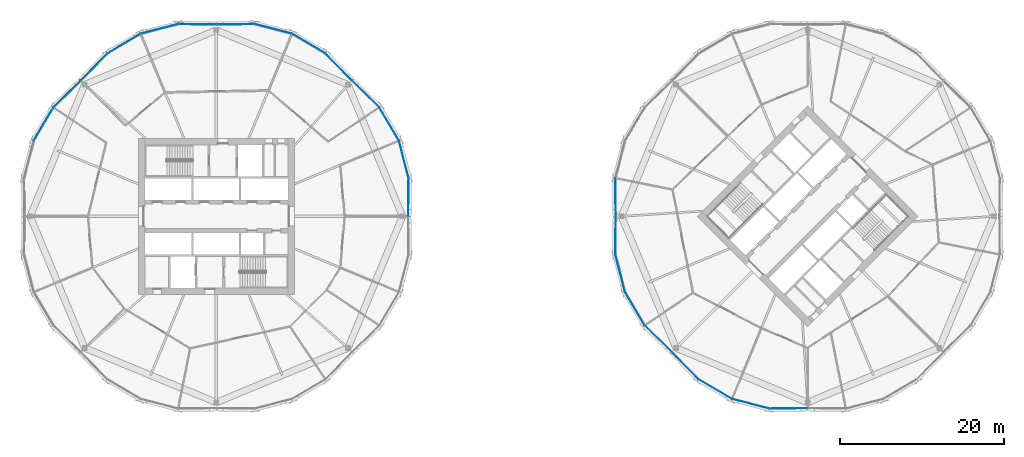
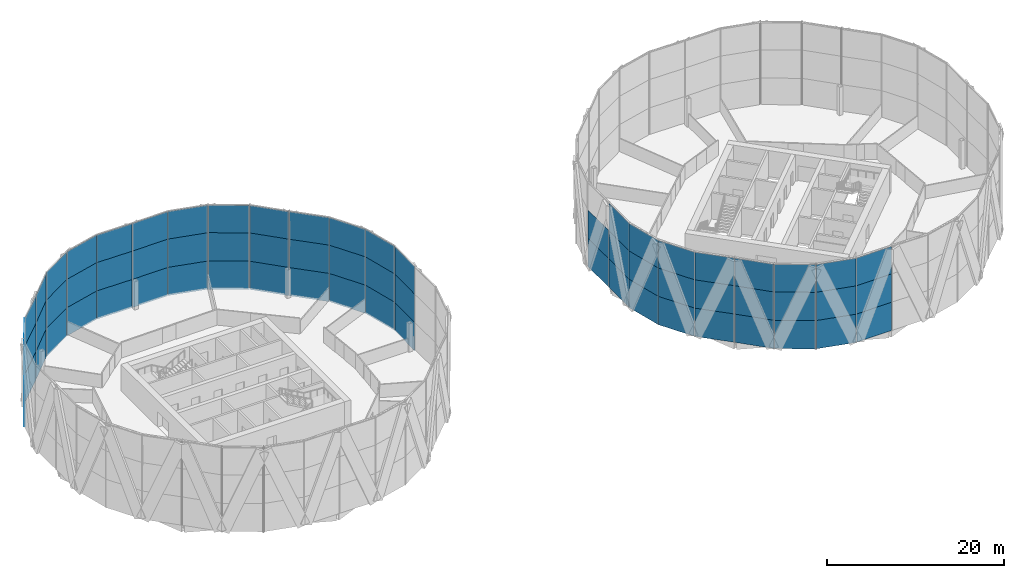
# One storey, part 17 of 26: 68 plates, 7 elements without a shape of their own.
"""IFC4 building model written with IfcOpenShell, lengths in metres."""

from ifc_helpers import new_model, si_unit, direction, frame, origin, origin_2d, place, context, subcontext, project, spatial, rectangle, extrude, material, layer, layer_set, type_object, element, aggregate, save


model = new_model("IFC4")

# Units and contexts
model_context = context("Model", 3, precision=1e-05, world=origin(), true_north=direction((0.0, 1.0)))
body_context = subcontext(model_context, "Body", "Model", "MODEL_VIEW")
ifc_project = project(units=[si_unit("LENGTHUNIT", "METRE"), si_unit("AREAUNIT", "SQUARE_METRE"), si_unit("VOLUMEUNIT", "CUBIC_METRE"), si_unit("PLANEANGLEUNIT", "RADIAN"), si_unit("MASSUNIT", "GRAM", prefix="KILO")], contexts=[model_context])

# Site, building, storey
site_placement = place(None, origin())
site = spatial("IfcSite", under=ifc_project, at=site_placement, CompositionType="ELEMENT")
building_placement = place(site_placement, origin())
building = spatial("IfcBuilding", under=site, at=building_placement, Name="Ogive Gate Towers", CompositionType="ELEMENT")
storey_placement = place(building_placement, frame((0.0, 0.0, 87.89990234375)))
storey = spatial("IfcBuildingStorey", under=building, at=storey_placement, Name="L20", CompositionType="ELEMENT", Elevation=87.89990234375)

# Curtain wall, plates
ifc_material_1 = material(Name="Pale metal aluminium", Category="aluminium")
curtain_wall_type = type_object("IfcCurtainWallType", Name="Tower unitised wall, low zone", PredefinedType="NOTDEFINED", material=ifc_material_1)
curtain_wall_1_placement = place(storey_placement, origin())
curtain_wall_1 = element("IfcCurtainWall", 1, at=curtain_wall_1_placement, inside=storey, type_object=curtain_wall_type, Name="CW1 T1 ECW01", PredefinedType="NOTDEFINED")
ifc_material_2 = material(Name="Clear glass", Category="glass")
ifc_layer = layer(ifc_material_2, 0.028076171875)
ifc_layer_set = layer_set([ifc_layer], Name="Tower unitised wall, low zone glass panel")
plate_type = type_object("IfcPlateType", Name="Tower unitised wall, low zone glass panel", PredefinedType="CURTAIN_PANEL", material=ifc_layer_set)
plate_1_placement = place(storey_placement, frame((-12.6083984375, 2.32275390625, -0.2998046875), z_axis=(0.0, 0.0, 1.0), x_axis=(0.009337375811, 0.999956405756, 0.0)))
plate_1 = element("IfcPlate", 2, at=plate_1_placement, type_object=plate_type, Name="CW1 glass panel", PredefinedType="CURTAIN_PANEL", context=body_context, shape_type="SweptSolid", body=[
    extrude(rectangle(XDim=4.591796875, YDim=0.028076171875, at=origin_2d()), origin(), (0.0, 0.0, 1.0), 3.89990234375),
])
plate_2_placement = place(storey_placement, frame((-12.6083984375, 2.32275390625, 3.60009765625), z_axis=(0.0, 0.0, 1.0), x_axis=(0.009337375811, 0.999956405756, 0.0)))
plate_2 = element("IfcPlate", 3, at=plate_2_placement, type_object=plate_type, Name="CW1 glass panel", PredefinedType="CURTAIN_PANEL", context=body_context, shape_type="SweptSolid", body=[
    extrude(rectangle(XDim=4.591796875, YDim=0.028076171875, at=origin_2d()), origin(), (0.0, 0.0, 1.0), 3.89990234375),
])
plate_3_placement = place(storey_placement, frame((-12.6083984375, 2.32275390625, 7.5), z_axis=(0.0, 0.0, 1.0), x_axis=(0.009337375811, 0.999956405756, 0.0)))
plate_3 = element("IfcPlate", 4, at=plate_3_placement, type_object=plate_type, Name="CW1 glass panel", PredefinedType="CURTAIN_PANEL", context=body_context, shape_type="SweptSolid", body=[
    extrude(rectangle(XDim=4.591796875, YDim=0.028076171875, at=origin_2d()), origin(), (0.0, 0.0, 1.0), 3.803955078125),
])
plate_4_placement = place(storey_placement, frame((-13.173828125, 6.930419921875, -0.2998046875), z_axis=(0.0, 0.0, 1.0), x_axis=(-0.249349123146, 0.968413658922, 0.0)))
plate_4 = element("IfcPlate", 5, at=plate_4_placement, type_object=plate_type, Name="CW1 glass panel", PredefinedType="CURTAIN_PANEL", context=body_context, shape_type="SweptSolid", body=[
    extrude(rectangle(XDim=4.649169921875, YDim=0.028076171875, at=origin_2d()), origin(), (0.0, 0.0, 1.0), 3.89990234375),
])
plate_5_placement = place(storey_placement, frame((-13.173828125, 6.930419921875, 3.60009765625), z_axis=(0.0, 0.0, 1.0), x_axis=(-0.249349123146, 0.968413658922, 0.0)))
plate_5 = element("IfcPlate", 6, at=plate_5_placement, type_object=plate_type, Name="CW1 glass panel", PredefinedType="CURTAIN_PANEL", context=body_context, shape_type="SweptSolid", body=[
    extrude(rectangle(XDim=4.649169921875, YDim=0.028076171875, at=origin_2d()), origin(), (0.0, 0.0, 1.0), 3.89990234375),
])
plate_6_placement = place(storey_placement, frame((-13.173828125, 6.930419921875, 7.5), z_axis=(0.0, 0.0, 1.0), x_axis=(-0.249349123146, 0.968413658922, 0.0)))
plate_6 = element("IfcPlate", 7, at=plate_6_placement, type_object=plate_type, Name="CW1 glass panel", PredefinedType="CURTAIN_PANEL", context=body_context, shape_type="SweptSolid", body=[
    extrude(rectangle(XDim=4.649169921875, YDim=0.028076171875, at=origin_2d()), origin(), (0.0, 0.0, 1.0), 3.803955078125),
])
plate_7_placement = place(storey_placement, frame((-14.958984375, 11.239990234375, -0.2998046875), z_axis=(0.0, 0.0, 1.0), x_axis=(-0.508440380454, 0.861097195167, 0.0)))
plate_7 = element("IfcPlate", 8, at=plate_7_placement, type_object=plate_type, Name="CW1 glass panel", PredefinedType="CURTAIN_PANEL", context=body_context, shape_type="SweptSolid", body=[
    extrude(rectangle(XDim=4.64892578125, YDim=0.028076171875, at=origin_2d()), origin(), (0.0, 0.0, 1.0), 3.89990234375),
])
plate_8_placement = place(storey_placement, frame((-14.958984375, 11.239990234375, 3.60009765625), z_axis=(0.0, 0.0, 1.0), x_axis=(-0.508440380454, 0.861097195167, 0.0)))
plate_8 = element("IfcPlate", 9, at=plate_8_placement, type_object=plate_type, Name="CW1 glass panel", PredefinedType="CURTAIN_PANEL", context=body_context, shape_type="SweptSolid", body=[
    extrude(rectangle(XDim=4.64892578125, YDim=0.028076171875, at=origin_2d()), origin(), (0.0, 0.0, 1.0), 3.89990234375),
])
plate_9_placement = place(storey_placement, frame((-14.958984375, 11.239990234375, 7.5), z_axis=(0.0, 0.0, 1.0), x_axis=(-0.508440380454, 0.861097195167, 0.0)))
plate_9 = element("IfcPlate", 10, at=plate_9_placement, type_object=plate_type, Name="CW1 glass panel", PredefinedType="CURTAIN_PANEL", context=body_context, shape_type="SweptSolid", body=[
    extrude(rectangle(XDim=4.64892578125, YDim=0.028076171875, at=origin_2d()), origin(), (0.0, 0.0, 1.0), 3.803955078125),
])
plate_10_placement = place(storey_placement, frame((-17.817138671875, 14.89794921875, -0.2998046875), z_axis=(0.0, 0.0, 1.0), x_axis=(-0.713678477155, 0.700473433647, 0.0)))
plate_10 = element("IfcPlate", 11, at=plate_10_placement, type_object=plate_type, Name="CW1 glass panel", PredefinedType="CURTAIN_PANEL", context=body_context, shape_type="SweptSolid", body=[
    extrude(rectangle(XDim=4.591796875, YDim=0.028076171875, at=origin_2d()), origin(), (0.0, 0.0, 1.0), 3.89990234375),
])
plate_11_placement = place(storey_placement, frame((-17.817138671875, 14.89794921875, 3.60009765625), z_axis=(0.0, 0.0, 1.0), x_axis=(-0.713678477155, 0.700473433647, 0.0)))
plate_11 = element("IfcPlate", 12, at=plate_11_placement, type_object=plate_type, Name="CW1 glass panel", PredefinedType="CURTAIN_PANEL", context=body_context, shape_type="SweptSolid", body=[
    extrude(rectangle(XDim=4.591796875, YDim=0.028076171875, at=origin_2d()), origin(), (0.0, 0.0, 1.0), 3.89990234375),
])
plate_12_placement = place(storey_placement, frame((-17.817138671875, 14.89794921875, 7.5), z_axis=(0.0, 0.0, 1.0), x_axis=(-0.713678477155, 0.700473433647, 0.0)))
plate_12 = element("IfcPlate", 13, at=plate_12_placement, type_object=plate_type, Name="CW1 glass panel", PredefinedType="CURTAIN_PANEL", context=body_context, shape_type="SweptSolid", body=[
    extrude(rectangle(XDim=4.591796875, YDim=0.028076171875, at=origin_2d()), origin(), (0.0, 0.0, 1.0), 3.803955078125),
])
aggregate(curtain_wall_1, [plate_1, plate_2, plate_3, plate_4, plate_5, plate_6, plate_7, plate_8, plate_9, plate_10, plate_11, plate_12])

curtain_wall_2_placement = place(storey_placement, origin())
curtain_wall_2 = element("IfcCurtainWall", 14, at=curtain_wall_2_placement, inside=storey, type_object=curtain_wall_type, Name="CW1 T1 ECW02", PredefinedType="NOTDEFINED")
plate_13_placement = place(storey_placement, frame((-21.10205078125, 18.182861328125, -0.2998046875), z_axis=(0.0, 0.0, 1.0), x_axis=(-0.700473433647, 0.713678477155, 0.0)))
plate_13 = element("IfcPlate", 15, at=plate_13_placement, type_object=plate_type, Name="CW1 glass panel", PredefinedType="CURTAIN_PANEL", context=body_context, shape_type="SweptSolid", body=[
    extrude(rectangle(XDim=4.591796875, YDim=0.028076171875, at=origin_2d()), origin(), (0.0, 0.0, 1.0), 3.89990234375),
])
plate_14_placement = place(storey_placement, frame((-21.10205078125, 18.182861328125, 3.60009765625), z_axis=(0.0, 0.0, 1.0), x_axis=(-0.700473433647, 0.713678477155, 0.0)))
plate_14 = element("IfcPlate", 16, at=plate_14_placement, type_object=plate_type, Name="CW1 glass panel", PredefinedType="CURTAIN_PANEL", context=body_context, shape_type="SweptSolid", body=[
    extrude(rectangle(XDim=4.591796875, YDim=0.028076171875, at=origin_2d()), origin(), (0.0, 0.0, 1.0), 3.89990234375),
])
plate_15_placement = place(storey_placement, frame((-21.10205078125, 18.182861328125, 7.5), z_axis=(0.0, 0.0, 1.0), x_axis=(-0.700473433647, 0.713678477155, 0.0)))
plate_15 = element("IfcPlate", 17, at=plate_15_placement, type_object=plate_type, Name="CW1 glass panel", PredefinedType="CURTAIN_PANEL", context=body_context, shape_type="SweptSolid", body=[
    extrude(rectangle(XDim=4.591796875, YDim=0.028076171875, at=origin_2d()), origin(), (0.0, 0.0, 1.0), 3.803955078125),
])
plate_16_placement = place(storey_placement, frame((-24.760009765625, 21.041015625, -0.2998046875), z_axis=(0.0, 0.0, 1.0), x_axis=(-0.861097195167, 0.508440380454, 0.0)))
plate_16 = element("IfcPlate", 18, at=plate_16_placement, type_object=plate_type, Name="CW1 glass panel", PredefinedType="CURTAIN_PANEL", context=body_context, shape_type="SweptSolid", body=[
    extrude(rectangle(XDim=4.64892578125, YDim=0.028076171875, at=origin_2d()), origin(), (0.0, 0.0, 1.0), 3.89990234375),
])
plate_17_placement = place(storey_placement, frame((-24.760009765625, 21.041015625, 3.60009765625), z_axis=(0.0, 0.0, 1.0), x_axis=(-0.861097195167, 0.508440380454, 0.0)))
plate_17 = element("IfcPlate", 19, at=plate_17_placement, type_object=plate_type, Name="CW1 glass panel", PredefinedType="CURTAIN_PANEL", context=body_context, shape_type="SweptSolid", body=[
    extrude(rectangle(XDim=4.64892578125, YDim=0.028076171875, at=origin_2d()), origin(), (0.0, 0.0, 1.0), 3.89990234375),
])
plate_18_placement = place(storey_placement, frame((-24.760009765625, 21.041015625, 7.5), z_axis=(0.0, 0.0, 1.0), x_axis=(-0.861097195167, 0.508440380454, 0.0)))
plate_18 = element("IfcPlate", 20, at=plate_18_placement, type_object=plate_type, Name="CW1 glass panel", PredefinedType="CURTAIN_PANEL", context=body_context, shape_type="SweptSolid", body=[
    extrude(rectangle(XDim=4.64892578125, YDim=0.028076171875, at=origin_2d()), origin(), (0.0, 0.0, 1.0), 3.803955078125),
])
plate_19_placement = place(storey_placement, frame((-29.069580078125, 22.826171875, -0.2998046875), z_axis=(0.0, 0.0, 1.0), x_axis=(-0.968413658922, 0.249349123146, 0.0)))
plate_19 = element("IfcPlate", 21, at=plate_19_placement, type_object=plate_type, Name="CW1 glass panel", PredefinedType="CURTAIN_PANEL", context=body_context, shape_type="SweptSolid", body=[
    extrude(rectangle(XDim=4.649169921875, YDim=0.028076171875, at=origin_2d()), origin(), (0.0, 0.0, 1.0), 3.89990234375),
])
plate_20_placement = place(storey_placement, frame((-29.069580078125, 22.826171875, 3.60009765625), z_axis=(0.0, 0.0, 1.0), x_axis=(-0.968413658922, 0.249349123146, 0.0)))
plate_20 = element("IfcPlate", 22, at=plate_20_placement, type_object=plate_type, Name="CW1 glass panel", PredefinedType="CURTAIN_PANEL", context=body_context, shape_type="SweptSolid", body=[
    extrude(rectangle(XDim=4.649169921875, YDim=0.028076171875, at=origin_2d()), origin(), (0.0, 0.0, 1.0), 3.89990234375),
])
plate_21_placement = place(storey_placement, frame((-29.069580078125, 22.826171875, 7.5), z_axis=(0.0, 0.0, 1.0), x_axis=(-0.968413658922, 0.249349123146, 0.0)))
plate_21 = element("IfcPlate", 23, at=plate_21_placement, type_object=plate_type, Name="CW1 glass panel", PredefinedType="CURTAIN_PANEL", context=body_context, shape_type="SweptSolid", body=[
    extrude(rectangle(XDim=4.649169921875, YDim=0.028076171875, at=origin_2d()), origin(), (0.0, 0.0, 1.0), 3.803955078125),
])
plate_22_placement = place(storey_placement, frame((-33.67724609375, 23.3916015625, -0.2998046875), z_axis=(0.0, 0.0, 1.0), x_axis=(-0.999956405756, -0.009337375811, 0.0)))
plate_22 = element("IfcPlate", 24, at=plate_22_placement, type_object=plate_type, Name="CW1 glass panel", PredefinedType="CURTAIN_PANEL", context=body_context, shape_type="SweptSolid", body=[
    extrude(rectangle(XDim=4.591796875, YDim=0.028076171875, at=origin_2d()), origin(), (0.0, 0.0, 1.0), 3.89990234375),
])
plate_23_placement = place(storey_placement, frame((-33.67724609375, 23.3916015625, 3.60009765625), z_axis=(0.0, 0.0, 1.0), x_axis=(-0.999956405756, -0.009337375811, 0.0)))
plate_23 = element("IfcPlate", 25, at=plate_23_placement, type_object=plate_type, Name="CW1 glass panel", PredefinedType="CURTAIN_PANEL", context=body_context, shape_type="SweptSolid", body=[
    extrude(rectangle(XDim=4.591796875, YDim=0.028076171875, at=origin_2d()), origin(), (0.0, 0.0, 1.0), 3.89990234375),
])
plate_24_placement = place(storey_placement, frame((-33.67724609375, 23.3916015625, 7.5), z_axis=(0.0, 0.0, 1.0), x_axis=(-0.999956405756, -0.009337375811, 0.0)))
plate_24 = element("IfcPlate", 26, at=plate_24_placement, type_object=plate_type, Name="CW1 glass panel", PredefinedType="CURTAIN_PANEL", context=body_context, shape_type="SweptSolid", body=[
    extrude(rectangle(XDim=4.591796875, YDim=0.028076171875, at=origin_2d()), origin(), (0.0, 0.0, 1.0), 3.803955078125),
])
aggregate(curtain_wall_2, [plate_13, plate_14, plate_15, plate_16, plate_17, plate_18, plate_19, plate_20, plate_21, plate_22, plate_23, plate_24])

curtain_wall_3_placement = place(storey_placement, origin())
curtain_wall_3 = element("IfcCurtainWall", 27, at=curtain_wall_3_placement, inside=storey, type_object=curtain_wall_type, Name="CW1 T1 ECW03", PredefinedType="NOTDEFINED")
plate_25_placement = place(storey_placement, frame((-38.32275390625, 23.3916015625, -0.2998046875), z_axis=(0.0, 0.0, 1.0), x_axis=(-0.999956405756, 0.009337375811, 0.0)))
plate_25 = element("IfcPlate", 28, at=plate_25_placement, type_object=plate_type, Name="CW1 glass panel", PredefinedType="CURTAIN_PANEL", context=body_context, shape_type="SweptSolid", body=[
    extrude(rectangle(XDim=4.591796875, YDim=0.028076171875, at=origin_2d()), origin(), (0.0, 0.0, 1.0), 3.89990234375),
])
plate_26_placement = place(storey_placement, frame((-38.32275390625, 23.3916015625, 3.60009765625), z_axis=(0.0, 0.0, 1.0), x_axis=(-0.999956405756, 0.009337375811, 0.0)))
plate_26 = element("IfcPlate", 29, at=plate_26_placement, type_object=plate_type, Name="CW1 glass panel", PredefinedType="CURTAIN_PANEL", context=body_context, shape_type="SweptSolid", body=[
    extrude(rectangle(XDim=4.591796875, YDim=0.028076171875, at=origin_2d()), origin(), (0.0, 0.0, 1.0), 3.89990234375),
])
plate_27_placement = place(storey_placement, frame((-38.32275390625, 23.3916015625, 7.5), z_axis=(0.0, 0.0, 1.0), x_axis=(-0.999956405756, 0.009337375811, 0.0)))
plate_27 = element("IfcPlate", 30, at=plate_27_placement, type_object=plate_type, Name="CW1 glass panel", PredefinedType="CURTAIN_PANEL", context=body_context, shape_type="SweptSolid", body=[
    extrude(rectangle(XDim=4.591796875, YDim=0.028076171875, at=origin_2d()), origin(), (0.0, 0.0, 1.0), 3.803955078125),
])
plate_28_placement = place(storey_placement, frame((-42.930419921875, 22.826171875, -0.2998046875), z_axis=(0.0, 0.0, 1.0), x_axis=(-0.968413658922, -0.249349123146, 0.0)))
plate_28 = element("IfcPlate", 31, at=plate_28_placement, type_object=plate_type, Name="CW1 glass panel", PredefinedType="CURTAIN_PANEL", context=body_context, shape_type="SweptSolid", body=[
    extrude(rectangle(XDim=4.649169921875, YDim=0.028076171875, at=origin_2d()), origin(), (0.0, 0.0, 1.0), 3.89990234375),
])
plate_29_placement = place(storey_placement, frame((-42.930419921875, 22.826171875, 3.60009765625), z_axis=(0.0, 0.0, 1.0), x_axis=(-0.968413658922, -0.249349123146, 0.0)))
plate_29 = element("IfcPlate", 32, at=plate_29_placement, type_object=plate_type, Name="CW1 glass panel", PredefinedType="CURTAIN_PANEL", context=body_context, shape_type="SweptSolid", body=[
    extrude(rectangle(XDim=4.649169921875, YDim=0.028076171875, at=origin_2d()), origin(), (0.0, 0.0, 1.0), 3.89990234375),
])
plate_30_placement = place(storey_placement, frame((-42.930419921875, 22.826171875, 7.5), z_axis=(0.0, 0.0, 1.0), x_axis=(-0.968413658922, -0.249349123146, 0.0)))
plate_30 = element("IfcPlate", 33, at=plate_30_placement, type_object=plate_type, Name="CW1 glass panel", PredefinedType="CURTAIN_PANEL", context=body_context, shape_type="SweptSolid", body=[
    extrude(rectangle(XDim=4.649169921875, YDim=0.028076171875, at=origin_2d()), origin(), (0.0, 0.0, 1.0), 3.803955078125),
])
plate_31_placement = place(storey_placement, frame((-47.239990234375, 21.041015625, -0.2998046875), z_axis=(0.0, 0.0, 1.0), x_axis=(-0.861097195167, -0.508440380454, 0.0)))
plate_31 = element("IfcPlate", 34, at=plate_31_placement, type_object=plate_type, Name="CW1 glass panel", PredefinedType="CURTAIN_PANEL", context=body_context, shape_type="SweptSolid", body=[
    extrude(rectangle(XDim=4.64892578125, YDim=0.028076171875, at=origin_2d()), origin(), (0.0, 0.0, 1.0), 3.89990234375),
])
plate_32_placement = place(storey_placement, frame((-47.239990234375, 21.041015625, 3.60009765625), z_axis=(0.0, 0.0, 1.0), x_axis=(-0.861097195167, -0.508440380454, 0.0)))
plate_32 = element("IfcPlate", 35, at=plate_32_placement, type_object=plate_type, Name="CW1 glass panel", PredefinedType="CURTAIN_PANEL", context=body_context, shape_type="SweptSolid", body=[
    extrude(rectangle(XDim=4.64892578125, YDim=0.028076171875, at=origin_2d()), origin(), (0.0, 0.0, 1.0), 3.89990234375),
])
plate_33_placement = place(storey_placement, frame((-47.239990234375, 21.041015625, 7.5), z_axis=(0.0, 0.0, 1.0), x_axis=(-0.861097195167, -0.508440380454, 0.0)))
plate_33 = element("IfcPlate", 36, at=plate_33_placement, type_object=plate_type, Name="CW1 glass panel", PredefinedType="CURTAIN_PANEL", context=body_context, shape_type="SweptSolid", body=[
    extrude(rectangle(XDim=4.64892578125, YDim=0.028076171875, at=origin_2d()), origin(), (0.0, 0.0, 1.0), 3.803955078125),
])
plate_34_placement = place(storey_placement, frame((-50.89794921875, 18.182861328125, -0.2998046875), z_axis=(0.0, 0.0, 1.0), x_axis=(-0.700473433647, -0.713678477155, 0.0)))
plate_34 = element("IfcPlate", 37, at=plate_34_placement, type_object=plate_type, Name="CW1 glass panel", PredefinedType="CURTAIN_PANEL", context=body_context, shape_type="SweptSolid", body=[
    extrude(rectangle(XDim=4.591796875, YDim=0.028076171875, at=origin_2d()), origin(), (0.0, 0.0, 1.0), 3.89990234375),
])
plate_35_placement = place(storey_placement, frame((-50.89794921875, 18.182861328125, 3.60009765625), z_axis=(0.0, 0.0, 1.0), x_axis=(-0.700473433647, -0.713678477155, 0.0)))
plate_35 = element("IfcPlate", 38, at=plate_35_placement, type_object=plate_type, Name="CW1 glass panel", PredefinedType="CURTAIN_PANEL", context=body_context, shape_type="SweptSolid", body=[
    extrude(rectangle(XDim=4.591796875, YDim=0.028076171875, at=origin_2d()), origin(), (0.0, 0.0, 1.0), 3.89990234375),
])
plate_36_placement = place(storey_placement, frame((-50.89794921875, 18.182861328125, 7.5), z_axis=(0.0, 0.0, 1.0), x_axis=(-0.700473433647, -0.713678477155, 0.0)))
plate_36 = element("IfcPlate", 39, at=plate_36_placement, type_object=plate_type, Name="CW1 glass panel", PredefinedType="CURTAIN_PANEL", context=body_context, shape_type="SweptSolid", body=[
    extrude(rectangle(XDim=4.591796875, YDim=0.028076171875, at=origin_2d()), origin(), (0.0, 0.0, 1.0), 3.803955078125),
])
aggregate(curtain_wall_3, [plate_25, plate_26, plate_27, plate_28, plate_29, plate_30, plate_31, plate_32, plate_33, plate_34, plate_35, plate_36])

curtain_wall_4_placement = place(storey_placement, origin())
curtain_wall_4 = element("IfcCurtainWall", 40, at=curtain_wall_4_placement, inside=storey, type_object=curtain_wall_type, Name="CW1 T1 ECW04", PredefinedType="NOTDEFINED")
plate_37_placement = place(storey_placement, frame((-54.182861328125, 14.89794921875, -0.2998046875), z_axis=(0.0, 0.0, 1.0), x_axis=(-0.713678477155, -0.700473433647, 0.0)))
plate_37 = element("IfcPlate", 41, at=plate_37_placement, type_object=plate_type, Name="CW1 glass panel", PredefinedType="CURTAIN_PANEL", context=body_context, shape_type="SweptSolid", body=[
    extrude(rectangle(XDim=4.591796875, YDim=0.028076171875, at=origin_2d()), origin(), (0.0, 0.0, 1.0), 3.89990234375),
])
plate_38_placement = place(storey_placement, frame((-54.182861328125, 14.89794921875, 3.60009765625), z_axis=(0.0, 0.0, 1.0), x_axis=(-0.713678477155, -0.700473433647, 0.0)))
plate_38 = element("IfcPlate", 42, at=plate_38_placement, type_object=plate_type, Name="CW1 glass panel", PredefinedType="CURTAIN_PANEL", context=body_context, shape_type="SweptSolid", body=[
    extrude(rectangle(XDim=4.591796875, YDim=0.028076171875, at=origin_2d()), origin(), (0.0, 0.0, 1.0), 3.89990234375),
])
plate_39_placement = place(storey_placement, frame((-54.182861328125, 14.89794921875, 7.5), z_axis=(0.0, 0.0, 1.0), x_axis=(-0.713678477155, -0.700473433647, 0.0)))
plate_39 = element("IfcPlate", 43, at=plate_39_placement, type_object=plate_type, Name="CW1 glass panel", PredefinedType="CURTAIN_PANEL", context=body_context, shape_type="SweptSolid", body=[
    extrude(rectangle(XDim=4.591796875, YDim=0.028076171875, at=origin_2d()), origin(), (0.0, 0.0, 1.0), 3.803955078125),
])
plate_40_placement = place(storey_placement, frame((-57.041015625, 11.239990234375, -0.2998046875), z_axis=(0.0, 0.0, 1.0), x_axis=(-0.508440380454, -0.861097195167, 0.0)))
plate_40 = element("IfcPlate", 44, at=plate_40_placement, type_object=plate_type, Name="CW1 glass panel", PredefinedType="CURTAIN_PANEL", context=body_context, shape_type="SweptSolid", body=[
    extrude(rectangle(XDim=4.64892578125, YDim=0.028076171875, at=origin_2d()), origin(), (0.0, 0.0, 1.0), 3.89990234375),
])
plate_41_placement = place(storey_placement, frame((-57.041015625, 11.239990234375, 3.60009765625), z_axis=(0.0, 0.0, 1.0), x_axis=(-0.508440380454, -0.861097195167, 0.0)))
plate_41 = element("IfcPlate", 45, at=plate_41_placement, type_object=plate_type, Name="CW1 glass panel", PredefinedType="CURTAIN_PANEL", context=body_context, shape_type="SweptSolid", body=[
    extrude(rectangle(XDim=4.64892578125, YDim=0.028076171875, at=origin_2d()), origin(), (0.0, 0.0, 1.0), 3.89990234375),
])
plate_42_placement = place(storey_placement, frame((-57.041015625, 11.239990234375, 7.5), z_axis=(0.0, 0.0, 1.0), x_axis=(-0.508440380454, -0.861097195167, 0.0)))
plate_42 = element("IfcPlate", 46, at=plate_42_placement, type_object=plate_type, Name="CW1 glass panel", PredefinedType="CURTAIN_PANEL", context=body_context, shape_type="SweptSolid", body=[
    extrude(rectangle(XDim=4.64892578125, YDim=0.028076171875, at=origin_2d()), origin(), (0.0, 0.0, 1.0), 3.803955078125),
])
aggregate(curtain_wall_4, [plate_37, plate_38, plate_39, plate_40, plate_41, plate_42])

curtain_wall_5_placement = place(storey_placement, origin())
curtain_wall_5 = element("IfcCurtainWall", 47, at=curtain_wall_5_placement, inside=storey, type_object=curtain_wall_type, Name="CW1 T2 ECW04", PredefinedType="NOTDEFINED")
plate_43_placement = place(storey_placement, frame((12.6083984375, 2.32275390625, -0.2998046875), z_axis=(0.0, 0.0, 1.0), x_axis=(0.009337375811, -0.999956405756, 0.0)))
plate_43 = element("IfcPlate", 48, at=plate_43_placement, type_object=plate_type, Name="CW1 glass panel", PredefinedType="CURTAIN_PANEL", context=body_context, shape_type="SweptSolid", body=[
    extrude(rectangle(XDim=4.591796875, YDim=0.028076171875, at=origin_2d()), origin(), (0.0, 0.0, 1.0), 3.89990234375),
])
plate_44_placement = place(storey_placement, frame((12.6083984375, 2.32275390625, 3.60009765625), z_axis=(0.0, 0.0, 1.0), x_axis=(0.009337375811, -0.999956405756, 0.0)))
plate_44 = element("IfcPlate", 49, at=plate_44_placement, type_object=plate_type, Name="CW1 glass panel", PredefinedType="CURTAIN_PANEL", context=body_context, shape_type="SweptSolid", body=[
    extrude(rectangle(XDim=4.591796875, YDim=0.028076171875, at=origin_2d()), origin(), (0.0, 0.0, 1.0), 3.89990234375),
])
aggregate(curtain_wall_5, [plate_43, plate_44])

curtain_wall_6_placement = place(storey_placement, origin())
curtain_wall_6 = element("IfcCurtainWall", 50, at=curtain_wall_6_placement, inside=storey, type_object=curtain_wall_type, Name="CW1 T2 ECW05", PredefinedType="NOTDEFINED")
plate_45_placement = place(storey_placement, frame((12.6083984375, -2.32275390625, -0.2998046875), z_axis=(0.0, 0.0, 1.0), x_axis=(-0.009337375811, -0.999956405756, 0.0)))
plate_45 = element("IfcPlate", 51, at=plate_45_placement, type_object=plate_type, Name="CW1 glass panel", PredefinedType="CURTAIN_PANEL", context=body_context, shape_type="SweptSolid", body=[
    extrude(rectangle(XDim=4.591796875, YDim=0.028076171875, at=origin_2d()), origin(), (0.0, 0.0, 1.0), 3.89990234375),
])
plate_46_placement = place(storey_placement, frame((12.6083984375, -2.32275390625, 3.60009765625), z_axis=(0.0, 0.0, 1.0), x_axis=(-0.009337375811, -0.999956405756, 0.0)))
plate_46 = element("IfcPlate", 52, at=plate_46_placement, type_object=plate_type, Name="CW1 glass panel", PredefinedType="CURTAIN_PANEL", context=body_context, shape_type="SweptSolid", body=[
    extrude(rectangle(XDim=4.591796875, YDim=0.028076171875, at=origin_2d()), origin(), (0.0, 0.0, 1.0), 3.89990234375),
])
plate_47_placement = place(storey_placement, frame((12.6083984375, -2.32275390625, 7.5), z_axis=(0.0, 0.0, 1.0), x_axis=(-0.009337375811, -0.999956405756, 0.0)))
plate_47 = element("IfcPlate", 53, at=plate_47_placement, type_object=plate_type, Name="CW1 glass panel", PredefinedType="CURTAIN_PANEL", context=body_context, shape_type="SweptSolid", body=[
    extrude(rectangle(XDim=4.591796875, YDim=0.028076171875, at=origin_2d()), origin(), (0.0, 0.0, 1.0), 3.803955078125),
])
plate_48_placement = place(storey_placement, frame((13.173828125, -6.930419921875, -0.2998046875), z_axis=(0.0, 0.0, 1.0), x_axis=(0.249349123146, -0.968413658922, 0.0)))
plate_48 = element("IfcPlate", 54, at=plate_48_placement, type_object=plate_type, Name="CW1 glass panel", PredefinedType="CURTAIN_PANEL", context=body_context, shape_type="SweptSolid", body=[
    extrude(rectangle(XDim=4.649169921875, YDim=0.028076171875, at=origin_2d()), origin(), (0.0, 0.0, 1.0), 3.89990234375),
])
plate_49_placement = place(storey_placement, frame((13.173828125, -6.930419921875, 3.60009765625), z_axis=(0.0, 0.0, 1.0), x_axis=(0.249349123146, -0.968413658922, 0.0)))
plate_49 = element("IfcPlate", 55, at=plate_49_placement, type_object=plate_type, Name="CW1 glass panel", PredefinedType="CURTAIN_PANEL", context=body_context, shape_type="SweptSolid", body=[
    extrude(rectangle(XDim=4.649169921875, YDim=0.028076171875, at=origin_2d()), origin(), (0.0, 0.0, 1.0), 3.89990234375),
])
plate_50_placement = place(storey_placement, frame((13.173828125, -6.930419921875, 7.5), z_axis=(0.0, 0.0, 1.0), x_axis=(0.249349123146, -0.968413658922, 0.0)))
plate_50 = element("IfcPlate", 56, at=plate_50_placement, type_object=plate_type, Name="CW1 glass panel", PredefinedType="CURTAIN_PANEL", context=body_context, shape_type="SweptSolid", body=[
    extrude(rectangle(XDim=4.649169921875, YDim=0.028076171875, at=origin_2d()), origin(), (0.0, 0.0, 1.0), 3.803955078125),
])
plate_51_placement = place(storey_placement, frame((14.958984375, -11.239990234375, -0.2998046875), z_axis=(0.0, 0.0, 1.0), x_axis=(0.508440380454, -0.861097195167, 0.0)))
plate_51 = element("IfcPlate", 57, at=plate_51_placement, type_object=plate_type, Name="CW1 glass panel", PredefinedType="CURTAIN_PANEL", context=body_context, shape_type="SweptSolid", body=[
    extrude(rectangle(XDim=4.64892578125, YDim=0.028076171875, at=origin_2d()), origin(), (0.0, 0.0, 1.0), 3.89990234375),
])
plate_52_placement = place(storey_placement, frame((14.958984375, -11.239990234375, 3.60009765625), z_axis=(0.0, 0.0, 1.0), x_axis=(0.508440380454, -0.861097195167, 0.0)))
plate_52 = element("IfcPlate", 58, at=plate_52_placement, type_object=plate_type, Name="CW1 glass panel", PredefinedType="CURTAIN_PANEL", context=body_context, shape_type="SweptSolid", body=[
    extrude(rectangle(XDim=4.64892578125, YDim=0.028076171875, at=origin_2d()), origin(), (0.0, 0.0, 1.0), 3.89990234375),
])
plate_53_placement = place(storey_placement, frame((14.958984375, -11.239990234375, 7.5), z_axis=(0.0, 0.0, 1.0), x_axis=(0.508440380454, -0.861097195167, 0.0)))
plate_53 = element("IfcPlate", 59, at=plate_53_placement, type_object=plate_type, Name="CW1 glass panel", PredefinedType="CURTAIN_PANEL", context=body_context, shape_type="SweptSolid", body=[
    extrude(rectangle(XDim=4.64892578125, YDim=0.028076171875, at=origin_2d()), origin(), (0.0, 0.0, 1.0), 3.803955078125),
])
plate_54_placement = place(storey_placement, frame((17.817138671875, -14.89794921875, -0.2998046875), z_axis=(0.0, 0.0, 1.0), x_axis=(0.713678477155, -0.700473433647, 0.0)))
plate_54 = element("IfcPlate", 60, at=plate_54_placement, type_object=plate_type, Name="CW1 glass panel", PredefinedType="CURTAIN_PANEL", context=body_context, shape_type="SweptSolid", body=[
    extrude(rectangle(XDim=4.591796875, YDim=0.028076171875, at=origin_2d()), origin(), (0.0, 0.0, 1.0), 3.89990234375),
])
plate_55_placement = place(storey_placement, frame((17.817138671875, -14.89794921875, 3.60009765625), z_axis=(0.0, 0.0, 1.0), x_axis=(0.713678477155, -0.700473433647, 0.0)))
plate_55 = element("IfcPlate", 61, at=plate_55_placement, type_object=plate_type, Name="CW1 glass panel", PredefinedType="CURTAIN_PANEL", context=body_context, shape_type="SweptSolid", body=[
    extrude(rectangle(XDim=4.591796875, YDim=0.028076171875, at=origin_2d()), origin(), (0.0, 0.0, 1.0), 3.89990234375),
])
plate_56_placement = place(storey_placement, frame((17.817138671875, -14.89794921875, 7.5), z_axis=(0.0, 0.0, 1.0), x_axis=(0.713678477155, -0.700473433647, 0.0)))
plate_56 = element("IfcPlate", 62, at=plate_56_placement, type_object=plate_type, Name="CW1 glass panel", PredefinedType="CURTAIN_PANEL", context=body_context, shape_type="SweptSolid", body=[
    extrude(rectangle(XDim=4.591796875, YDim=0.028076171875, at=origin_2d()), origin(), (0.0, 0.0, 1.0), 3.803955078125),
])
aggregate(curtain_wall_6, [plate_45, plate_46, plate_47, plate_48, plate_49, plate_50, plate_51, plate_52, plate_53, plate_54, plate_55, plate_56])

curtain_wall_7_placement = place(storey_placement, origin())
curtain_wall_7 = element("IfcCurtainWall", 63, at=curtain_wall_7_placement, inside=storey, type_object=curtain_wall_type, Name="CW1 T2 ECW06", PredefinedType="NOTDEFINED")
plate_57_placement = place(storey_placement, frame((21.10205078125, -18.182861328125, -0.2998046875), z_axis=(0.0, 0.0, 1.0), x_axis=(0.700473433647, -0.713678477155, 0.0)))
plate_57 = element("IfcPlate", 64, at=plate_57_placement, type_object=plate_type, Name="CW1 glass panel", PredefinedType="CURTAIN_PANEL", context=body_context, shape_type="SweptSolid", body=[
    extrude(rectangle(XDim=4.591796875, YDim=0.028076171875, at=origin_2d()), origin(), (0.0, 0.0, 1.0), 3.89990234375),
])
plate_58_placement = place(storey_placement, frame((21.10205078125, -18.182861328125, 3.60009765625), z_axis=(0.0, 0.0, 1.0), x_axis=(0.700473433647, -0.713678477155, 0.0)))
plate_58 = element("IfcPlate", 65, at=plate_58_placement, type_object=plate_type, Name="CW1 glass panel", PredefinedType="CURTAIN_PANEL", context=body_context, shape_type="SweptSolid", body=[
    extrude(rectangle(XDim=4.591796875, YDim=0.028076171875, at=origin_2d()), origin(), (0.0, 0.0, 1.0), 3.89990234375),
])
plate_59_placement = place(storey_placement, frame((21.10205078125, -18.182861328125, 7.5), z_axis=(0.0, 0.0, 1.0), x_axis=(0.700473433647, -0.713678477155, 0.0)))
plate_59 = element("IfcPlate", 66, at=plate_59_placement, type_object=plate_type, Name="CW1 glass panel", PredefinedType="CURTAIN_PANEL", context=body_context, shape_type="SweptSolid", body=[
    extrude(rectangle(XDim=4.591796875, YDim=0.028076171875, at=origin_2d()), origin(), (0.0, 0.0, 1.0), 3.803955078125),
])
plate_60_placement = place(storey_placement, frame((24.760009765625, -21.041015625, -0.2998046875), z_axis=(0.0, 0.0, 1.0), x_axis=(0.861097195167, -0.508440380454, 0.0)))
plate_60 = element("IfcPlate", 67, at=plate_60_placement, type_object=plate_type, Name="CW1 glass panel", PredefinedType="CURTAIN_PANEL", context=body_context, shape_type="SweptSolid", body=[
    extrude(rectangle(XDim=4.64892578125, YDim=0.028076171875, at=origin_2d()), origin(), (0.0, 0.0, 1.0), 3.89990234375),
])
plate_61_placement = place(storey_placement, frame((24.760009765625, -21.041015625, 3.60009765625), z_axis=(0.0, 0.0, 1.0), x_axis=(0.861097195167, -0.508440380454, 0.0)))
plate_61 = element("IfcPlate", 68, at=plate_61_placement, type_object=plate_type, Name="CW1 glass panel", PredefinedType="CURTAIN_PANEL", context=body_context, shape_type="SweptSolid", body=[
    extrude(rectangle(XDim=4.64892578125, YDim=0.028076171875, at=origin_2d()), origin(), (0.0, 0.0, 1.0), 3.89990234375),
])
plate_62_placement = place(storey_placement, frame((24.760009765625, -21.041015625, 7.5), z_axis=(0.0, 0.0, 1.0), x_axis=(0.861097195167, -0.508440380454, 0.0)))
plate_62 = element("IfcPlate", 69, at=plate_62_placement, type_object=plate_type, Name="CW1 glass panel", PredefinedType="CURTAIN_PANEL", context=body_context, shape_type="SweptSolid", body=[
    extrude(rectangle(XDim=4.64892578125, YDim=0.028076171875, at=origin_2d()), origin(), (0.0, 0.0, 1.0), 3.803955078125),
])
plate_63_placement = place(storey_placement, frame((29.069580078125, -22.826171875, -0.2998046875), z_axis=(0.0, 0.0, 1.0), x_axis=(0.968413658922, -0.249349123146, 0.0)))
plate_63 = element("IfcPlate", 70, at=plate_63_placement, type_object=plate_type, Name="CW1 glass panel", PredefinedType="CURTAIN_PANEL", context=body_context, shape_type="SweptSolid", body=[
    extrude(rectangle(XDim=4.649169921875, YDim=0.028076171875, at=origin_2d()), origin(), (0.0, 0.0, 1.0), 3.89990234375),
])
plate_64_placement = place(storey_placement, frame((29.069580078125, -22.826171875, 3.60009765625), z_axis=(0.0, 0.0, 1.0), x_axis=(0.968413658922, -0.249349123146, 0.0)))
plate_64 = element("IfcPlate", 71, at=plate_64_placement, type_object=plate_type, Name="CW1 glass panel", PredefinedType="CURTAIN_PANEL", context=body_context, shape_type="SweptSolid", body=[
    extrude(rectangle(XDim=4.649169921875, YDim=0.028076171875, at=origin_2d()), origin(), (0.0, 0.0, 1.0), 3.89990234375),
])
plate_65_placement = place(storey_placement, frame((29.069580078125, -22.826171875, 7.5), z_axis=(0.0, 0.0, 1.0), x_axis=(0.968413658922, -0.249349123146, 0.0)))
plate_65 = element("IfcPlate", 72, at=plate_65_placement, type_object=plate_type, Name="CW1 glass panel", PredefinedType="CURTAIN_PANEL", context=body_context, shape_type="SweptSolid", body=[
    extrude(rectangle(XDim=4.649169921875, YDim=0.028076171875, at=origin_2d()), origin(), (0.0, 0.0, 1.0), 3.803955078125),
])
plate_66_placement = place(storey_placement, frame((33.67724609375, -23.3916015625, -0.2998046875), z_axis=(0.0, 0.0, 1.0), x_axis=(0.999956405756, 0.009337375811, 0.0)))
plate_66 = element("IfcPlate", 73, at=plate_66_placement, type_object=plate_type, Name="CW1 glass panel", PredefinedType="CURTAIN_PANEL", context=body_context, shape_type="SweptSolid", body=[
    extrude(rectangle(XDim=4.591796875, YDim=0.028076171875, at=origin_2d()), origin(), (0.0, 0.0, 1.0), 3.89990234375),
])
plate_67_placement = place(storey_placement, frame((33.67724609375, -23.3916015625, 3.60009765625), z_axis=(0.0, 0.0, 1.0), x_axis=(0.999956405756, 0.009337375811, 0.0)))
plate_67 = element("IfcPlate", 74, at=plate_67_placement, type_object=plate_type, Name="CW1 glass panel", PredefinedType="CURTAIN_PANEL", context=body_context, shape_type="SweptSolid", body=[
    extrude(rectangle(XDim=4.591796875, YDim=0.028076171875, at=origin_2d()), origin(), (0.0, 0.0, 1.0), 3.89990234375),
])
plate_68_placement = place(storey_placement, frame((33.67724609375, -23.3916015625, 7.5), z_axis=(0.0, 0.0, 1.0), x_axis=(0.999956405756, 0.009337375811, 0.0)))
plate_68 = element("IfcPlate", 75, at=plate_68_placement, type_object=plate_type, Name="CW1 glass panel", PredefinedType="CURTAIN_PANEL", context=body_context, shape_type="SweptSolid", body=[
    extrude(rectangle(XDim=4.591796875, YDim=0.028076171875, at=origin_2d()), origin(), (0.0, 0.0, 1.0), 3.803955078125),
])
aggregate(curtain_wall_7, [plate_57, plate_58, plate_59, plate_60, plate_61, plate_62, plate_63, plate_64, plate_65, plate_66, plate_67, plate_68])

save(model, "model.ifc")
